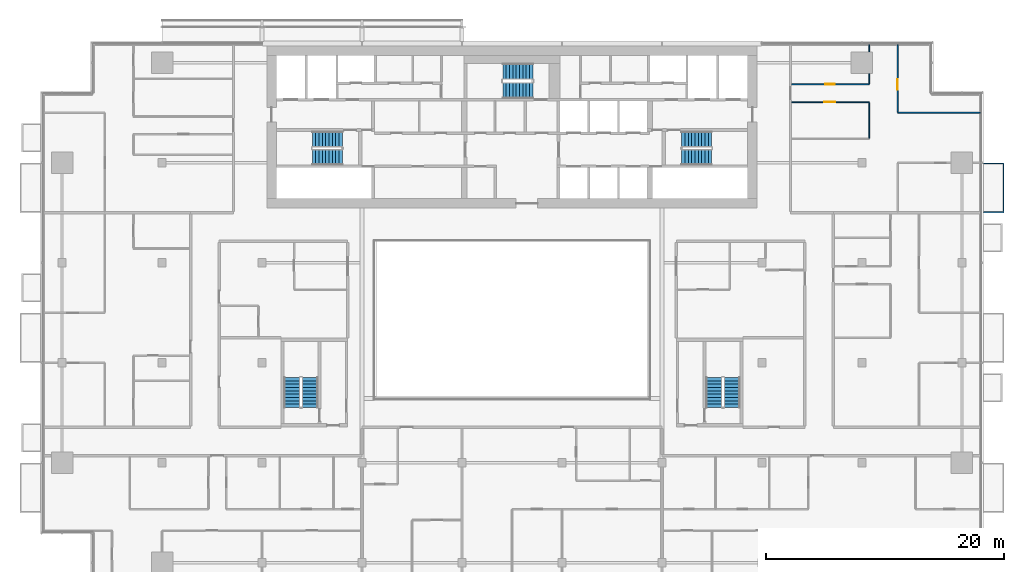
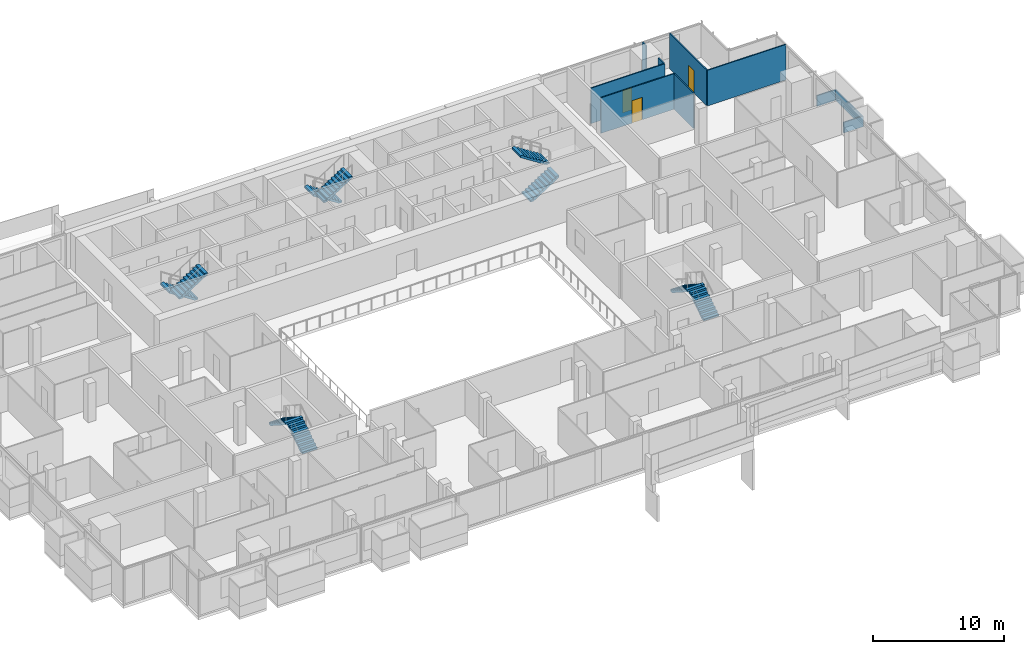
# One storey, part 24 of 28: 10 stair flights, 8 walls, 3 doors, 3 openings, 5 elements without a shape of their own.
"""IFC4 building model written with IfcOpenShell, lengths in metres."""

from ifc_helpers import new_model, si_unit, direction, frame, frame_2d, origin, place, context, subcontext, project, spatial, polyline, rectangle, outline, extrude, material, layer, layer_set, type_object, element, fill, aggregate, save


model = new_model("IFC4")

# Units and contexts
model_context = context("Model", 3, precision=1e-05, world=origin(), true_north=direction((0.0, 1.0)))
body_context = subcontext(model_context, "Body", "Model", "MODEL_VIEW")
ifc_project = project(units=[si_unit("LENGTHUNIT", "METRE"), si_unit("AREAUNIT", "SQUARE_METRE"), si_unit("VOLUMEUNIT", "CUBIC_METRE"), si_unit("PLANEANGLEUNIT", "RADIAN"), si_unit("MASSUNIT", "GRAM", prefix="KILO")], contexts=[model_context])

# Site, building, storey
site_placement = place(None, origin())
site = spatial("IfcSite", under=ifc_project, at=site_placement, CompositionType="ELEMENT")
building_placement = place(site_placement, origin())
building = spatial("IfcBuilding", under=site, at=building_placement, Name="Saffron Gate Tower", CompositionType="ELEMENT")
storey_placement = place(building_placement, frame((0.0, 0.0, 154.64990234375)))
storey = spatial("IfcBuildingStorey", under=building, at=storey_placement, Name="L37", CompositionType="ELEMENT", Elevation=154.64990234375)

# Wall
ifc_material_1 = material(Name="Plasterboard on steel studs", Category="steel")
ifc_layer_1 = layer(ifc_material_1, 0.10009765625)
ifc_layer_set_1 = layer_set([ifc_layer_1], Name="PW1 Partition 100")
wall_type_1 = type_object("IfcWallType", Name="PW1 Partition 100", PredefinedType="PARTITIONING", material=ifc_layer_set_1)
wall_1_placement = place(storey_placement, frame((120.0, 69.60009765625, 0.0), z_axis=(0.0, 0.0, 1.0), x_axis=(1.0, 0.0, 0.0)))
element("IfcWall", 1, at=wall_1_placement, inside=storey, type_object=wall_type_1, Name="Partition C1-53", PredefinedType="PARTITIONING", context=body_context, shape_type="SweptSolid", body=[
    extrude(rectangle(XDim=6.919921875, YDim=0.10009765625, at=frame_2d((3.4599609375, 0.0))), origin(), (0.0, 0.0, 1.0), 3.320068359375),
])

# Wall, opening, door
wall_2_placement = place(storey_placement, frame((117.60009765625, 70.5, 0.0), z_axis=(0.0, 0.0, 1.0), x_axis=(-1.0, 0.0, 0.0)))
wall_2 = element("IfcWall", 2, at=wall_2_placement, inside=storey, type_object=wall_type_1, Name="Partition C1-54", PredefinedType="PARTITIONING", context=body_context, shape_type="SweptSolid", body=[
    extrude(rectangle(XDim=6.5, YDim=0.10009765625, at=frame_2d((3.25, 0.0))), origin(), (0.0, 0.0, 1.0), 3.320068359375),
])
opening_1_placement = place(wall_2_placement, frame((2.85009765625, 0.0, 0.0)))
opening_1 = element("IfcOpeningElement", 3, at=opening_1_placement, cuts=wall_2, Name="Opening C1-36", PredefinedType="OPENING", context=body_context, shape_type="SweptSolid", body=[
    extrude(rectangle(XDim=0.89990234375, YDim=2.10009765625, at=frame_2d((0.449951171875, 1.050048828125))), frame((0.0, 0.06005859375, 0.0), z_axis=(0.0, -1.0, 0.0), x_axis=(1.0, 0.0, 0.0)), (0.0, 0.0, 1.0), 0.1201171875),
])
ifc_material_2 = material(Name="Timber door set", Category="wood")
door_type_1 = type_object("IfcDoorType", Name="RD1 Room door 900x2100", OperationType="NOTDEFINED", PredefinedType="DOOR", material=ifc_material_2)
door_1_placement = place(opening_1_placement, origin())
door_1 = element("IfcDoor", 4, at=door_1_placement, inside=storey, type_object=door_type_1, Name="Door C1-36", OperationType="SINGLE_SWING_RIGHT", OverallHeight=2.10009765625, OverallWidth=0.89990234375, PredefinedType="DOOR", context=body_context, shape_type="SweptSolid", body=[
    extrude(rectangle(XDim=0.89990234375, YDim=2.10009765625, at=frame_2d((0.449951171875, 1.050048828125))), frame((0.0, 0.02490234375, 0.0), z_axis=(0.0, -1.0, 0.0), x_axis=(1.0, 0.0, 0.0)), (0.0, 0.0, 1.0), 0.050048828125),
])
fill(opening_1, door_1)

wall_3_placement = place(storey_placement, frame((111.10009765625, 72.0, 0.0), z_axis=(0.0, 0.0, 1.0), x_axis=(1.0, 0.0, 0.0)))
wall_3 = element("IfcWall", 5, at=wall_3_placement, inside=storey, type_object=wall_type_1, Name="Partition C1-55", PredefinedType="PARTITIONING", context=body_context, shape_type="SweptSolid", body=[
    extrude(rectangle(XDim=6.5, YDim=0.10009765625, at=frame_2d((3.25, 0.0))), origin(), (0.0, 0.0, 1.0), 3.320068359375),
])
opening_2_placement = place(wall_3_placement, frame((2.800048828125, 0.0, 0.0)))
opening_2 = element("IfcOpeningElement", 6, at=opening_2_placement, cuts=wall_3, Name="Opening C1-51", PredefinedType="OPENING", context=body_context, shape_type="SweptSolid", body=[
    extrude(rectangle(XDim=0.800048828125, YDim=2.10009765625, at=frame_2d((0.39990234375, 1.050048828125))), frame((0.0, 0.06005859375, 0.0), z_axis=(0.0, -1.0, 0.0), x_axis=(1.0, 0.0, 0.0)), (0.0, 0.0, 1.0), 0.1201171875),
])
door_type_2 = type_object("IfcDoorType", Name="RD2 Bathroom door 800x2100", OperationType="NOTDEFINED", PredefinedType="DOOR", material=ifc_material_2)
door_2_placement = place(opening_2_placement, origin())
door_2 = element("IfcDoor", 7, at=door_2_placement, inside=storey, type_object=door_type_2, Name="Door C1-51", OperationType="SINGLE_SWING_LEFT", OverallHeight=2.10009765625, OverallWidth=0.800048828125, PredefinedType="DOOR", context=body_context, shape_type="SweptSolid", body=[
    extrude(rectangle(XDim=0.800048828125, YDim=2.10009765625, at=frame_2d((0.39990234375, 1.050048828125))), frame((0.0, 0.02490234375, 0.0), z_axis=(0.0, -1.0, 0.0), x_axis=(1.0, 0.0, 0.0)), (0.0, 0.0, 1.0), 0.050048828125),
])
fill(opening_2, door_2)

# Walls
wall_4_placement = place(storey_placement, frame((117.60009765625, 70.449951171875, 0.0), z_axis=(0.0, 0.0, 1.0), x_axis=(0.0, -1.0, 0.0)))
element("IfcWall", 8, at=wall_4_placement, inside=storey, type_object=wall_type_1, Name="Partition C1-107", PredefinedType="PARTITIONING", context=body_context, shape_type="SweptSolid", body=[
    extrude(rectangle(XDim=2.98779296875, YDim=0.10009765625, at=frame_2d((1.493896484375, 0.0))), origin(), (0.0, 0.0, 1.0), 3.320068359375),
])
wall_5_placement = place(storey_placement, frame((117.60009765625, 72.8798828125, 0.0), z_axis=(0.0, 0.0, 1.0), x_axis=(0.0, -1.0, 0.0)))
element("IfcWall", 9, at=wall_5_placement, inside=storey, type_object=wall_type_1, Name="Partition C1-108", PredefinedType="PARTITIONING", context=body_context, shape_type="SweptSolid", body=[
    extrude(rectangle(XDim=0.829833984375, YDim=0.10009765625, at=frame_2d((0.4150390625, 0.0))), origin(), (0.0, 0.0, 1.0), 3.320068359375),
])
wall_6_placement = place(storey_placement, frame((117.60009765625, 75.320068359375, 0.0), z_axis=(0.0, 0.0, 1.0), x_axis=(0.0, -1.0, 0.0)))
element("IfcWall", 10, at=wall_6_placement, inside=storey, type_object=wall_type_1, Name="Partition C1-109", PredefinedType="PARTITIONING", context=body_context, shape_type="SweptSolid", body=[
    extrude(rectangle(XDim=0.60009765625, YDim=0.10009765625, at=frame_2d((0.300048828125, 0.0))), origin(), (0.0, 0.0, 1.0), 3.320068359375),
])

# Wall, opening, door
wall_7_placement = place(storey_placement, frame((120.0, 75.320068359375, 0.0), z_axis=(0.0, 0.0, 1.0), x_axis=(0.0, -1.0, 0.0)))
wall_7 = element("IfcWall", 11, at=wall_7_placement, inside=storey, type_object=wall_type_1, Name="Partition C1-113", PredefinedType="PARTITIONING", context=body_context, shape_type="SweptSolid", body=[
    extrude(rectangle(XDim=5.670166015625, YDim=0.10009765625, at=frame_2d((2.8349609375, 0.0))), origin(), (0.0, 0.0, 1.0), 3.320068359375),
])
opening_3_placement = place(wall_7_placement, frame((2.89111328125, 0.0, 0.0)))
opening_3 = element("IfcOpeningElement", 12, at=opening_3_placement, cuts=wall_7, Name="Opening C1-35", PredefinedType="OPENING", context=body_context, shape_type="SweptSolid", body=[
    extrude(rectangle(XDim=0.89990234375, YDim=2.10009765625, at=frame_2d((0.449951171875, 1.050048828125))), frame((0.0, 0.06005859375, 0.0), z_axis=(0.0, -1.0, 0.0), x_axis=(1.0, 0.0, 0.0)), (0.0, 0.0, 1.0), 0.1201171875),
])
door_3_placement = place(opening_3_placement, origin())
door_3 = element("IfcDoor", 13, at=door_3_placement, inside=storey, type_object=door_type_1, Name="Door C1-35", OperationType="SINGLE_SWING_RIGHT", OverallHeight=2.10009765625, OverallWidth=0.89990234375, PredefinedType="DOOR", context=body_context, shape_type="SweptSolid", body=[
    extrude(rectangle(XDim=0.89990234375, YDim=2.10009765625, at=frame_2d((0.449951171875, 1.050048828125))), frame((0.0, 0.02490234375, 0.0), z_axis=(0.0, -1.0, 0.0), x_axis=(1.0, 0.0, 0.0)), (0.0, 0.0, 1.0), 0.050048828125),
])
fill(opening_3, door_3)

# Wall
ifc_material_3 = material(Name="Rendered insulated panel, white")
ifc_layer_2 = layer(ifc_material_3, 0.10009765625)
ifc_layer_set_2 = layer_set([ifc_layer_2], Name="WB3 box parapet white")
wall_type_2 = type_object("IfcWallType", Name="WB3 box parapet white", PredefinedType="SOLIDWALL", material=ifc_layer_set_2)
wall_8_placement = place(storey_placement, origin())
element("IfcWall", 14, at=wall_8_placement, inside=storey, type_object=wall_type_2, Name="WINDOW BOX parapet", PredefinedType="SOLIDWALL", context=body_context, shape_type="SweptSolid", body=[
    extrude(outline(polyline([(127.199951171875, 61.199951171875), (127.199951171875, 61.300048828125), (128.8330078125, 61.300048828125), (128.8330078125, 65.300048828125), (127.199951171875, 65.300048828125), (127.199951171875, 65.39990234375), (128.93310546875, 65.39990234375), (128.93310546875, 61.199951171875), (127.199951171875, 61.199951171875)])), origin(), (0.0, 0.0, 1.0), 1.0),
])

# Stair, stair flights
ifc_material_4 = material(Name="Concrete C40", Category="concrete")
stair_type = type_object("IfcStairType", Name="ST7 Stair 1350 wide, 20 risers of 180", PredefinedType="HALF_TURN_STAIR", material=ifc_material_4)
stair_1_placement = place(storey_placement, origin())
stair_1 = element("IfcStair", 15, at=stair_1_placement, inside=storey, type_object=stair_type, Name="L37 Exit stair A", PredefinedType="HALF_TURN_STAIR")
stair_flight_type = type_object("IfcStairFlightType", Name="SF3 Stair flight 1350 wide, riser 180 going 280", PredefinedType="STRAIGHT", material=ifc_material_4)
stair_flight_1_placement = place(storey_placement, frame((73.35009765625, 67.375, 0.0), z_axis=(0.0, 0.0, 1.0), x_axis=(-1.0, 0.0, 0.0)))
stair_flight_1 = element("IfcStairFlight", 16, at=stair_flight_1_placement, type_object=stair_flight_type, Name="ST-A flight 1", NumberOfRisers=10, NumberOfTreads=9, PredefinedType="STRAIGHT", RiserHeight=0.18, TreadLength=0.28, context=body_context, shape_type="SweptSolid", body=[
    extrude(outline(polyline([(0.0, 0.0), (0.0, 0.179931640625), (0.280029296875, 0.179931640625), (0.280029296875, 0.360107421875), (0.56005859375, 0.360107421875), (0.56005859375, 0.5400390625), (0.840087890625, 0.5400390625), (0.840087890625, 0.719970703125), (1.1201171875, 0.719970703125), (1.1201171875, 0.89990234375), (1.39990234375, 0.89990234375), (1.39990234375, 1.080078125), (1.679931640625, 1.080078125), (1.679931640625, 1.260009765625), (1.9599609375, 1.260009765625), (1.9599609375, 1.43994140625), (2.239990234375, 1.43994140625), (2.239990234375, 1.6201171875), (2.52001953125, 1.6201171875), (2.52001953125, 1.800048828125), (2.52001953125, 1.44189453125), (0.277099609375, 0.0), (0.0, 0.0)])), frame((0.0, 0.675048828125, 0.0), z_axis=(0.0, -1.0, 0.0), x_axis=(1.0, 0.0, 0.0)), (0.0, 0.0, 1.0), 1.35009765625),
])
stair_flight_2_placement = place(storey_placement, frame((70.830078125, 65.875, 1.800048828125), z_axis=(0.0, 0.0, 1.0), x_axis=(1.0, 0.0, 0.0)))
stair_flight_2 = element("IfcStairFlight", 17, at=stair_flight_2_placement, type_object=stair_flight_type, Name="ST-A flight 2", NumberOfRisers=10, NumberOfTreads=9, PredefinedType="STRAIGHT", RiserHeight=0.18, TreadLength=0.28, context=body_context, shape_type="SweptSolid", body=[
    extrude(outline(polyline([(0.0, 0.0), (0.0, 0.179931640625), (0.280029296875, 0.179931640625), (0.280029296875, 0.360107421875), (0.56005859375, 0.360107421875), (0.56005859375, 0.5400390625), (0.840087890625, 0.5400390625), (0.840087890625, 0.719970703125), (1.1201171875, 0.719970703125), (1.1201171875, 0.89990234375), (1.39990234375, 0.89990234375), (1.39990234375, 1.080078125), (1.679931640625, 1.080078125), (1.679931640625, 1.260009765625), (1.9599609375, 1.260009765625), (1.9599609375, 1.43994140625), (2.239990234375, 1.43994140625), (2.239990234375, 1.6201171875), (2.52001953125, 1.6201171875), (2.52001953125, 1.800048828125), (2.52001953125, 1.44189453125), (0.277099609375, 0.0), (0.0, 0.0)])), frame((0.0, 0.675048828125, 0.0), z_axis=(0.0, -1.0, 0.0), x_axis=(1.0, 0.0, 0.0)), (0.0, 0.0, 1.0), 1.35009765625),
])
aggregate(stair_1, [stair_flight_1, stair_flight_2])

stair_2_placement = place(storey_placement, origin())
stair_2 = element("IfcStair", 18, at=stair_2_placement, inside=storey, type_object=stair_type, Name="L37 Exit stair B", PredefinedType="HALF_TURN_STAIR")
stair_flight_3_placement = place(storey_placement, frame((101.85009765625, 65.875, 0.0), z_axis=(0.0, 0.0, 1.0), x_axis=(1.0, 0.0, 0.0)))
stair_flight_3 = element("IfcStairFlight", 19, at=stair_flight_3_placement, type_object=stair_flight_type, Name="ST-B flight 1", NumberOfRisers=10, NumberOfTreads=9, PredefinedType="STRAIGHT", RiserHeight=0.18, TreadLength=0.28, context=body_context, shape_type="SweptSolid", body=[
    extrude(outline(polyline([(0.0, 0.0), (0.0, 0.179931640625), (0.280029296875, 0.179931640625), (0.280029296875, 0.360107421875), (0.56005859375, 0.360107421875), (0.56005859375, 0.5400390625), (0.840087890625, 0.5400390625), (0.840087890625, 0.719970703125), (1.1201171875, 0.719970703125), (1.1201171875, 0.89990234375), (1.39990234375, 0.89990234375), (1.39990234375, 1.080078125), (1.679931640625, 1.080078125), (1.679931640625, 1.260009765625), (1.9599609375, 1.260009765625), (1.9599609375, 1.43994140625), (2.239990234375, 1.43994140625), (2.239990234375, 1.6201171875), (2.52001953125, 1.6201171875), (2.52001953125, 1.800048828125), (2.52001953125, 1.44189453125), (0.277099609375, 0.0), (0.0, 0.0)])), frame((0.0, 0.675048828125, 0.0), z_axis=(0.0, -1.0, 0.0), x_axis=(1.0, 0.0, 0.0)), (0.0, 0.0, 1.0), 1.35009765625),
])
stair_flight_4_placement = place(storey_placement, frame((104.3701171875, 67.375, 1.800048828125), z_axis=(0.0, 0.0, 1.0), x_axis=(-1.0, 0.0, 0.0)))
stair_flight_4 = element("IfcStairFlight", 20, at=stair_flight_4_placement, type_object=stair_flight_type, Name="ST-B flight 2", NumberOfRisers=10, NumberOfTreads=9, PredefinedType="STRAIGHT", RiserHeight=0.18, TreadLength=0.28, context=body_context, shape_type="SweptSolid", body=[
    extrude(outline(polyline([(0.0, 0.0), (0.0, 0.179931640625), (0.280029296875, 0.179931640625), (0.280029296875, 0.360107421875), (0.56005859375, 0.360107421875), (0.56005859375, 0.5400390625), (0.840087890625, 0.5400390625), (0.840087890625, 0.719970703125), (1.1201171875, 0.719970703125), (1.1201171875, 0.89990234375), (1.39990234375, 0.89990234375), (1.39990234375, 1.080078125), (1.679931640625, 1.080078125), (1.679931640625, 1.260009765625), (1.9599609375, 1.260009765625), (1.9599609375, 1.43994140625), (2.239990234375, 1.43994140625), (2.239990234375, 1.6201171875), (2.52001953125, 1.6201171875), (2.52001953125, 1.800048828125), (2.52001953125, 1.44189453125), (0.277099609375, 0.0), (0.0, 0.0)])), frame((0.0, 0.675048828125, 0.0), z_axis=(0.0, -1.0, 0.0), x_axis=(1.0, 0.0, 0.0)), (0.0, 0.0, 1.0), 1.35009765625),
])
aggregate(stair_2, [stair_flight_3, stair_flight_4])

stair_3_placement = place(storey_placement, origin())
stair_3 = element("IfcStair", 21, at=stair_3_placement, inside=storey, type_object=stair_type, Name="L37 Exit stair C", PredefinedType="HALF_TURN_STAIR")
stair_flight_5_placement = place(storey_placement, frame((89.35009765625, 73.074951171875, 0.0), z_axis=(0.0, 0.0, 1.0), x_axis=(-1.0, 0.0, 0.0)))
stair_flight_5 = element("IfcStairFlight", 22, at=stair_flight_5_placement, type_object=stair_flight_type, Name="ST-C flight 1", NumberOfRisers=10, NumberOfTreads=9, PredefinedType="STRAIGHT", RiserHeight=0.18, TreadLength=0.28, context=body_context, shape_type="SweptSolid", body=[
    extrude(outline(polyline([(0.0, 0.0), (0.0, 0.179931640625), (0.280029296875, 0.179931640625), (0.280029296875, 0.360107421875), (0.56005859375, 0.360107421875), (0.56005859375, 0.5400390625), (0.840087890625, 0.5400390625), (0.840087890625, 0.719970703125), (1.1201171875, 0.719970703125), (1.1201171875, 0.89990234375), (1.39990234375, 0.89990234375), (1.39990234375, 1.080078125), (1.679931640625, 1.080078125), (1.679931640625, 1.260009765625), (1.9599609375, 1.260009765625), (1.9599609375, 1.43994140625), (2.239990234375, 1.43994140625), (2.239990234375, 1.6201171875), (2.52001953125, 1.6201171875), (2.52001953125, 1.800048828125), (2.52001953125, 1.44189453125), (0.277099609375, 0.0), (0.0, 0.0)])), frame((0.0, 0.675048828125, 0.0), z_axis=(0.0, -1.0, 0.0), x_axis=(1.0, 0.0, 0.0)), (0.0, 0.0, 1.0), 1.35009765625),
])
stair_flight_6_placement = place(storey_placement, frame((86.830078125, 71.47509765625, 1.800048828125), z_axis=(0.0, 0.0, 1.0), x_axis=(1.0, 0.0, 0.0)))
stair_flight_6 = element("IfcStairFlight", 23, at=stair_flight_6_placement, type_object=stair_flight_type, Name="ST-C flight 2", NumberOfRisers=10, NumberOfTreads=9, PredefinedType="STRAIGHT", RiserHeight=0.18, TreadLength=0.28, context=body_context, shape_type="SweptSolid", body=[
    extrude(outline(polyline([(0.0, 0.0), (0.0, 0.179931640625), (0.280029296875, 0.179931640625), (0.280029296875, 0.360107421875), (0.56005859375, 0.360107421875), (0.56005859375, 0.5400390625), (0.840087890625, 0.5400390625), (0.840087890625, 0.719970703125), (1.1201171875, 0.719970703125), (1.1201171875, 0.89990234375), (1.39990234375, 0.89990234375), (1.39990234375, 1.080078125), (1.679931640625, 1.080078125), (1.679931640625, 1.260009765625), (1.9599609375, 1.260009765625), (1.9599609375, 1.43994140625), (2.239990234375, 1.43994140625), (2.239990234375, 1.6201171875), (2.52001953125, 1.6201171875), (2.52001953125, 1.800048828125), (2.52001953125, 1.44189453125), (0.277099609375, 0.0), (0.0, 0.0)])), frame((0.0, 0.675048828125, 0.0), z_axis=(0.0, -1.0, 0.0), x_axis=(1.0, 0.0, 0.0)), (0.0, 0.0, 1.0), 1.35009765625),
])
aggregate(stair_3, [stair_flight_5, stair_flight_6])

stair_4_placement = place(storey_placement, origin())
stair_4 = element("IfcStair", 24, at=stair_4_placement, inside=storey, type_object=stair_type, Name="L37 Exit stair D", PredefinedType="HALF_TURN_STAIR")
stair_flight_7_placement = place(storey_placement, frame((70.625, 44.85009765625, 0.0), z_axis=(0.0, 0.0, 1.0), x_axis=(0.0, 1.0, 0.0)))
stair_flight_7 = element("IfcStairFlight", 25, at=stair_flight_7_placement, type_object=stair_flight_type, Name="ST-D flight 1", NumberOfRisers=10, NumberOfTreads=9, PredefinedType="STRAIGHT", RiserHeight=0.18, TreadLength=0.28, context=body_context, shape_type="SweptSolid", body=[
    extrude(outline(polyline([(0.0, 0.0), (0.0, 0.179931640625), (0.280029296875, 0.179931640625), (0.280029296875, 0.360107421875), (0.56005859375, 0.360107421875), (0.56005859375, 0.5400390625), (0.840087890625, 0.5400390625), (0.840087890625, 0.719970703125), (1.1201171875, 0.719970703125), (1.1201171875, 0.89990234375), (1.39990234375, 0.89990234375), (1.39990234375, 1.080078125), (1.679931640625, 1.080078125), (1.679931640625, 1.260009765625), (1.9599609375, 1.260009765625), (1.9599609375, 1.43994140625), (2.239990234375, 1.43994140625), (2.239990234375, 1.6201171875), (2.52001953125, 1.6201171875), (2.52001953125, 1.800048828125), (2.52001953125, 1.44189453125), (0.277099609375, 0.0), (0.0, 0.0)])), frame((0.0, 0.675048828125, 0.0), z_axis=(0.0, -1.0, 0.0), x_axis=(1.0, 0.0, 0.0)), (0.0, 0.0, 1.0), 1.35009765625),
])
stair_flight_8_placement = place(storey_placement, frame((69.125, 47.3701171875, 1.800048828125), z_axis=(0.0, 0.0, 1.0), x_axis=(0.0, -1.0, 0.0)))
stair_flight_8 = element("IfcStairFlight", 26, at=stair_flight_8_placement, type_object=stair_flight_type, Name="ST-D flight 2", NumberOfRisers=10, NumberOfTreads=9, PredefinedType="STRAIGHT", RiserHeight=0.18, TreadLength=0.28, context=body_context, shape_type="SweptSolid", body=[
    extrude(outline(polyline([(0.0, 0.0), (0.0, 0.179931640625), (0.280029296875, 0.179931640625), (0.280029296875, 0.360107421875), (0.56005859375, 0.360107421875), (0.56005859375, 0.5400390625), (0.840087890625, 0.5400390625), (0.840087890625, 0.719970703125), (1.1201171875, 0.719970703125), (1.1201171875, 0.89990234375), (1.39990234375, 0.89990234375), (1.39990234375, 1.080078125), (1.679931640625, 1.080078125), (1.679931640625, 1.260009765625), (1.9599609375, 1.260009765625), (1.9599609375, 1.43994140625), (2.239990234375, 1.43994140625), (2.239990234375, 1.6201171875), (2.52001953125, 1.6201171875), (2.52001953125, 1.800048828125), (2.52001953125, 1.44189453125), (0.277099609375, 0.0), (0.0, 0.0)])), frame((0.0, 0.675048828125, 0.0), z_axis=(0.0, -1.0, 0.0), x_axis=(1.0, 0.0, 0.0)), (0.0, 0.0, 1.0), 1.35009765625),
])
aggregate(stair_4, [stair_flight_7, stair_flight_8])

stair_5_placement = place(storey_placement, origin())
stair_5 = element("IfcStair", 27, at=stair_5_placement, inside=storey, type_object=stair_type, Name="L37 Exit stair E", PredefinedType="HALF_TURN_STAIR")
stair_flight_9_placement = place(storey_placement, frame((106.074951171875, 44.85009765625, 0.0), z_axis=(0.0, 0.0, 1.0), x_axis=(0.0, 1.0, 0.0)))
stair_flight_9 = element("IfcStairFlight", 28, at=stair_flight_9_placement, type_object=stair_flight_type, Name="ST-E flight 1", NumberOfRisers=10, NumberOfTreads=9, PredefinedType="STRAIGHT", RiserHeight=0.18, TreadLength=0.28, context=body_context, shape_type="SweptSolid", body=[
    extrude(outline(polyline([(0.0, 0.0), (0.0, 0.179931640625), (0.280029296875, 0.179931640625), (0.280029296875, 0.360107421875), (0.56005859375, 0.360107421875), (0.56005859375, 0.5400390625), (0.840087890625, 0.5400390625), (0.840087890625, 0.719970703125), (1.1201171875, 0.719970703125), (1.1201171875, 0.89990234375), (1.39990234375, 0.89990234375), (1.39990234375, 1.080078125), (1.679931640625, 1.080078125), (1.679931640625, 1.260009765625), (1.9599609375, 1.260009765625), (1.9599609375, 1.43994140625), (2.239990234375, 1.43994140625), (2.239990234375, 1.6201171875), (2.52001953125, 1.6201171875), (2.52001953125, 1.800048828125), (2.52001953125, 1.44189453125), (0.277099609375, 0.0), (0.0, 0.0)])), frame((0.0, 0.675048828125, 0.0), z_axis=(0.0, -1.0, 0.0), x_axis=(1.0, 0.0, 0.0)), (0.0, 0.0, 1.0), 1.35009765625),
])
stair_flight_10_placement = place(storey_placement, frame((104.574951171875, 47.3701171875, 1.800048828125), z_axis=(0.0, 0.0, 1.0), x_axis=(0.0, -1.0, 0.0)))
stair_flight_10 = element("IfcStairFlight", 29, at=stair_flight_10_placement, type_object=stair_flight_type, Name="ST-E flight 2", NumberOfRisers=10, NumberOfTreads=9, PredefinedType="STRAIGHT", RiserHeight=0.18, TreadLength=0.28, context=body_context, shape_type="SweptSolid", body=[
    extrude(outline(polyline([(0.0, 0.0), (0.0, 0.179931640625), (0.280029296875, 0.179931640625), (0.280029296875, 0.360107421875), (0.56005859375, 0.360107421875), (0.56005859375, 0.5400390625), (0.840087890625, 0.5400390625), (0.840087890625, 0.719970703125), (1.1201171875, 0.719970703125), (1.1201171875, 0.89990234375), (1.39990234375, 0.89990234375), (1.39990234375, 1.080078125), (1.679931640625, 1.080078125), (1.679931640625, 1.260009765625), (1.9599609375, 1.260009765625), (1.9599609375, 1.43994140625), (2.239990234375, 1.43994140625), (2.239990234375, 1.6201171875), (2.52001953125, 1.6201171875), (2.52001953125, 1.800048828125), (2.52001953125, 1.44189453125), (0.277099609375, 0.0), (0.0, 0.0)])), frame((0.0, 0.675048828125, 0.0), z_axis=(0.0, -1.0, 0.0), x_axis=(1.0, 0.0, 0.0)), (0.0, 0.0, 1.0), 1.35009765625),
])
aggregate(stair_5, [stair_flight_9, stair_flight_10])

save(model, "model.ifc")
